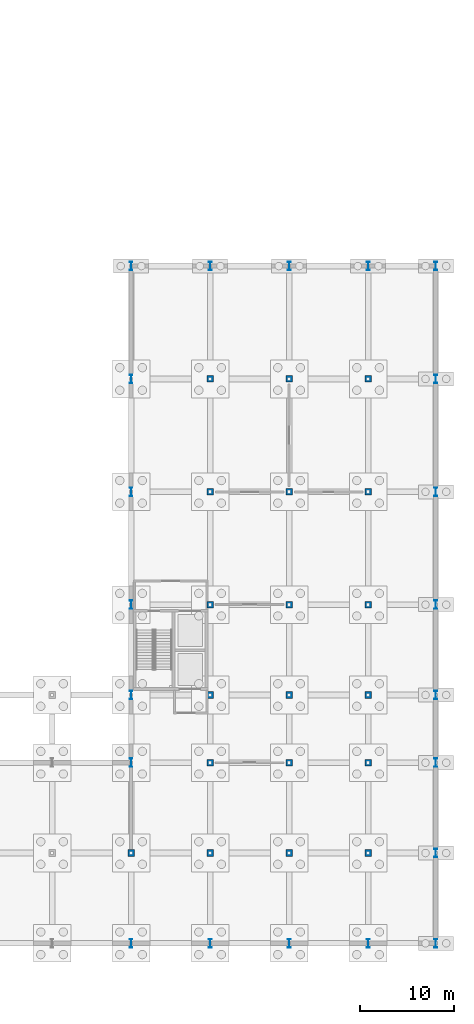
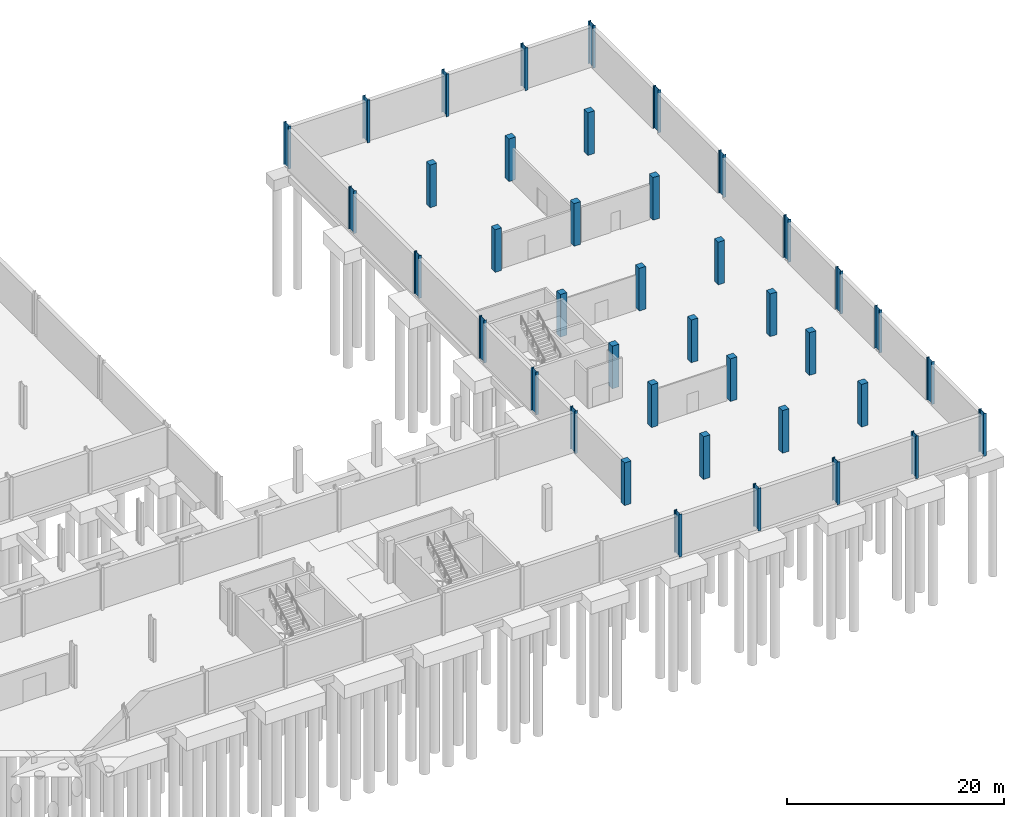
# One storey, part 14 of 29: 40 columns.
"""IFC4 building model written with IfcOpenShell, lengths in metres."""

from ifc_helpers import new_model, si_unit, direction, frame, origin, origin_2d, place, context, subcontext, project, spatial, rectangle, i_section, extrude, material, material_profile, profile_set, type_object, element, save


model = new_model("IFC4")

# Units and contexts
model_context = context("Model", 3, precision=1e-05, world=origin(), true_north=direction((0.0, 1.0)))
body_context = subcontext(model_context, "Body", "Model", "MODEL_VIEW")
ifc_project = project(units=[si_unit("LENGTHUNIT", "METRE"), si_unit("AREAUNIT", "SQUARE_METRE"), si_unit("VOLUMEUNIT", "CUBIC_METRE"), si_unit("PLANEANGLEUNIT", "RADIAN"), si_unit("MASSUNIT", "GRAM", prefix="KILO")], contexts=[model_context])

# Site, building, storey
site_placement = place(None, origin())
site = spatial("IfcSite", under=ifc_project, at=site_placement, CompositionType="ELEMENT")
building_placement = place(site_placement, origin())
building = spatial("IfcBuilding", under=site, at=building_placement, Name="Veltarok Museum of Natural Sciences", CompositionType="ELEMENT")
storey_placement = place(building_placement, frame((0.0, 0.0, -4.800048828125)))
storey = spatial("IfcBuildingStorey", under=building, at=storey_placement, Name="B1", CompositionType="ELEMENT", Elevation=-4.800048828125)

# Columns
ifc_material_1 = material(Name="Concrete C40/50", Category="concrete")
ifc_material_profile_1 = material_profile(ifc_material_1, rectangle(XDim=0.699951171875, YDim=0.699951171875, at=origin_2d()), Name="RC 700x700")
ifc_profile_set_1 = profile_set([ifc_material_profile_1], Name="Concrete C40/50")
column_type_1 = type_object("IfcColumnType", Name="Basement Archive Column RC 700x700", PredefinedType="COLUMN", material=ifc_profile_set_1)
for number, where, z_axis, x_axis, name in (
    (1, (132.39990234375, 9.60009765625, 0.0), (0.0, 0.0, 1.0), (1.0, 0.0, 0.0), "Column COL-RC01 B1 16/B"),
    (2, (140.800048828125, 9.60009765625, 0.0), (0.0, 0.0, 1.0), (1.0, 0.0, 0.0), "Column COL-RC01 B1 17/B"),
    (3, (140.800048828125, 19.199951171875, 0.0), (0.0, 0.0, 1.0), (1.0, 0.0, 0.0), "Column COL-RC01 B1 17/C"),
    (4, (140.800048828125, 26.39990234375, 0.0), (0.0, 0.0, 1.0), (1.0, 0.0, 0.0), "Column COL-RC01 B1 17/D"),
    (5, (140.800048828125, 36.0, 0.0), (0.0, 0.0, 1.0), (1.0, 0.0, 0.0), "Column COL-RC01 B1 17/E"),
    (6, (140.800048828125, 48.0, 0.0), (0.0, 0.0, 1.0), (1.0, 0.0, 0.0), "Column COL-RC01 B1 17/F"),
    (7, (140.800048828125, 60.0, 0.0), (0.0, 0.0, 1.0), (1.0, 0.0, 0.0), "Column COL-RC01 B1 17/G"),
    (8, (149.199951171875, 9.60009765625, 0.0), (0.0, 0.0, 1.0), (1.0, 0.0, 0.0), "Column COL-RC01 B1 18/B"),
    (9, (149.199951171875, 19.199951171875, 0.0), (0.0, 0.0, 1.0), (1.0, 0.0, 0.0), "Column COL-RC01 B1 18/C"),
    (10, (149.199951171875, 26.39990234375, 0.0), (0.0, 0.0, 1.0), (1.0, 0.0, 0.0), "Column COL-RC01 B1 18/D"),
    (11, (149.199951171875, 36.0, 0.0), (0.0, 0.0, 1.0), (1.0, 0.0, 0.0), "Column COL-RC01 B1 18/E"),
    (12, (149.199951171875, 48.0, 0.0), (0.0, 0.0, 1.0), (1.0, 0.0, 0.0), "Column COL-RC01 B1 18/F"),
    (13, (149.199951171875, 60.0, 0.0), (0.0, 0.0, 1.0), (1.0, 0.0, 0.0), "Column COL-RC01 B1 18/G"),
    (14, (157.60009765625, 9.60009765625, 0.0), (0.0, 0.0, 1.0), (1.0, 0.0, 0.0), "Column COL-RC01 B1 19/B"),
    (15, (157.60009765625, 19.199951171875, 0.0), (0.0, 0.0, 1.0), (1.0, 0.0, 0.0), "Column COL-RC01 B1 19/C"),
    (16, (157.60009765625, 26.39990234375, 0.0), (0.0, 0.0, 1.0), (1.0, 0.0, 0.0), "Column COL-RC01 B1 19/D"),
    (17, (157.60009765625, 36.0, 0.0), (0.0, 0.0, 1.0), (1.0, 0.0, 0.0), "Column COL-RC01 B1 19/E"),
    (18, (157.60009765625, 48.0, 0.0), (0.0, 0.0, 1.0), (1.0, 0.0, 0.0), "Column COL-RC01 B1 19/F"),
    (19, (157.60009765625, 60.0, 0.0), (0.0, 0.0, 1.0), (1.0, 0.0, 0.0), "Column COL-RC01 B1 19/G"),
):
    element("IfcColumn", number, at=place(storey_placement, frame(where, z_axis=z_axis, x_axis=x_axis)), inside=storey, type_object=column_type_1, Name=name, PredefinedType="COLUMN", context=body_context, shape_type="SweptSolid", body=[
        extrude(rectangle(XDim=0.699951171875, YDim=0.699951171875, at=origin_2d()), origin(), (0.0, 0.0, 1.0), 4.800048828125),
    ])
ifc_material_2 = material(Name="Steel S355J2", Category="steel")
ifc_material_profile_2 = material_profile(ifc_material_2, i_section(OverallWidth=0.300048828125, OverallDepth=0.89990234375, WebThickness=0.0185546875, FlangeThickness=0.034912109375, FilletRadius=0.030029296875, at=origin_2d()), Name="HEB 900")
ifc_profile_set_2 = profile_set([ifc_material_profile_2], Name="Steel S355J2")
column_type_2 = type_object("IfcColumnType", Name="Heavy Hall Column HEB 900", PredefinedType="COLUMN", material=ifc_profile_set_2)
for number, where, z_axis, x_axis, name in (
    (20, (132.39990234375, 0.0, 0.0), (0.0, 0.0, 1.0), (1.0, 0.0, 0.0), "Column COL-S01 B1 16/A"),
    (21, (132.39990234375, 19.199951171875, 0.0), (0.0, 0.0, 1.0), (1.0, 0.0, 0.0), "Column COL-S01 B1 16/C"),
    (22, (132.39990234375, 26.39990234375, 0.0), (0.0, 0.0, 1.0), (1.0, 0.0, 0.0), "Column COL-S01 B1 16/D"),
    (23, (132.39990234375, 36.0, 0.0), (0.0, 0.0, 1.0), (1.0, 0.0, 0.0), "Column COL-S01 B1 16/E"),
    (24, (132.39990234375, 48.0, 0.0), (0.0, 0.0, 1.0), (1.0, 0.0, 0.0), "Column COL-S01 B1 16/F"),
    (25, (132.39990234375, 60.0, 0.0), (0.0, 0.0, 1.0), (1.0, 0.0, 0.0), "Column COL-S01 B1 16/G"),
    (26, (132.39990234375, 72.0, 0.0), (0.0, 0.0, 1.0), (1.0, 0.0, 0.0), "Column COL-S01 B1 16/H"),
    (27, (140.800048828125, 0.0, 0.0), (0.0, 0.0, 1.0), (1.0, 0.0, 0.0), "Column COL-S01 B1 17/A"),
    (28, (140.800048828125, 72.0, 0.0), (0.0, 0.0, 1.0), (1.0, 0.0, 0.0), "Column COL-S01 B1 17/H"),
    (29, (149.199951171875, 0.0, 0.0), (0.0, 0.0, 1.0), (1.0, 0.0, 0.0), "Column COL-S01 B1 18/A"),
    (30, (149.199951171875, 72.0, 0.0), (0.0, 0.0, 1.0), (1.0, 0.0, 0.0), "Column COL-S01 B1 18/H"),
    (31, (157.60009765625, 0.0, 0.0), (0.0, 0.0, 1.0), (1.0, 0.0, 0.0), "Column COL-S01 B1 19/A"),
    (32, (157.60009765625, 72.0, 0.0), (0.0, 0.0, 1.0), (1.0, 0.0, 0.0), "Column COL-S01 B1 19/H"),
    (33, (164.800048828125, 0.0, 0.0), (0.0, 0.0, 1.0), (1.0, 0.0, 0.0), "Column COL-S01 B1 20/A"),
    (34, (164.800048828125, 9.60009765625, 0.0), (0.0, 0.0, 1.0), (1.0, 0.0, 0.0), "Column COL-S01 B1 20/B"),
    (35, (164.800048828125, 19.199951171875, 0.0), (0.0, 0.0, 1.0), (1.0, 0.0, 0.0), "Column COL-S01 B1 20/C"),
    (36, (164.800048828125, 26.39990234375, 0.0), (0.0, 0.0, 1.0), (1.0, 0.0, 0.0), "Column COL-S01 B1 20/D"),
    (37, (164.800048828125, 36.0, 0.0), (0.0, 0.0, 1.0), (1.0, 0.0, 0.0), "Column COL-S01 B1 20/E"),
    (38, (164.800048828125, 48.0, 0.0), (0.0, 0.0, 1.0), (1.0, 0.0, 0.0), "Column COL-S01 B1 20/F"),
    (39, (164.800048828125, 60.0, 0.0), (0.0, 0.0, 1.0), (1.0, 0.0, 0.0), "Column COL-S01 B1 20/G"),
    (40, (164.800048828125, 72.0, 0.0), (0.0, 0.0, 1.0), (1.0, 0.0, 0.0), "Column COL-S01 B1 20/H"),
):
    element("IfcColumn", number, at=place(storey_placement, frame(where, z_axis=z_axis, x_axis=x_axis)), inside=storey, type_object=column_type_2, Name=name, PredefinedType="COLUMN", context=body_context, shape_type="SweptSolid", body=[
        extrude(i_section(OverallWidth=0.300048828125, OverallDepth=0.89990234375, WebThickness=0.0185546875, FlangeThickness=0.034912109375, FilletRadius=0.030029296875, at=origin_2d()), origin(), (0.0, 0.0, 1.0), 4.800048828125),
    ])

save(model, "model.ifc")
